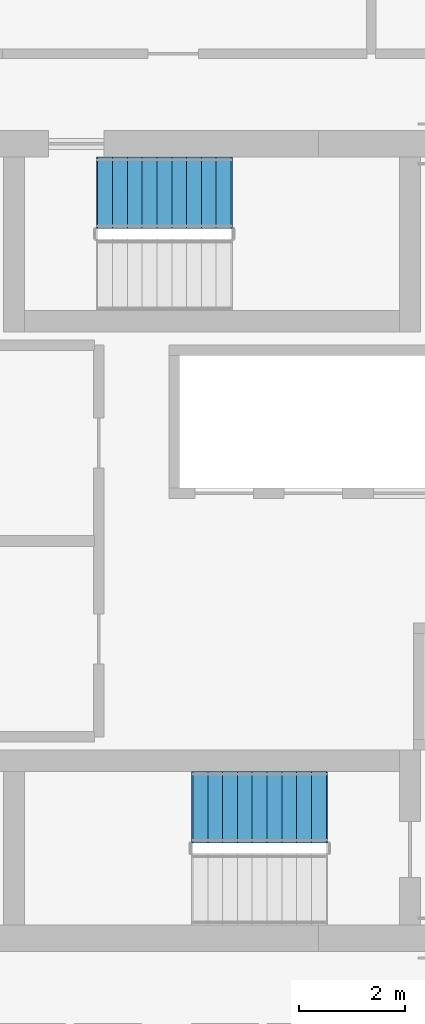
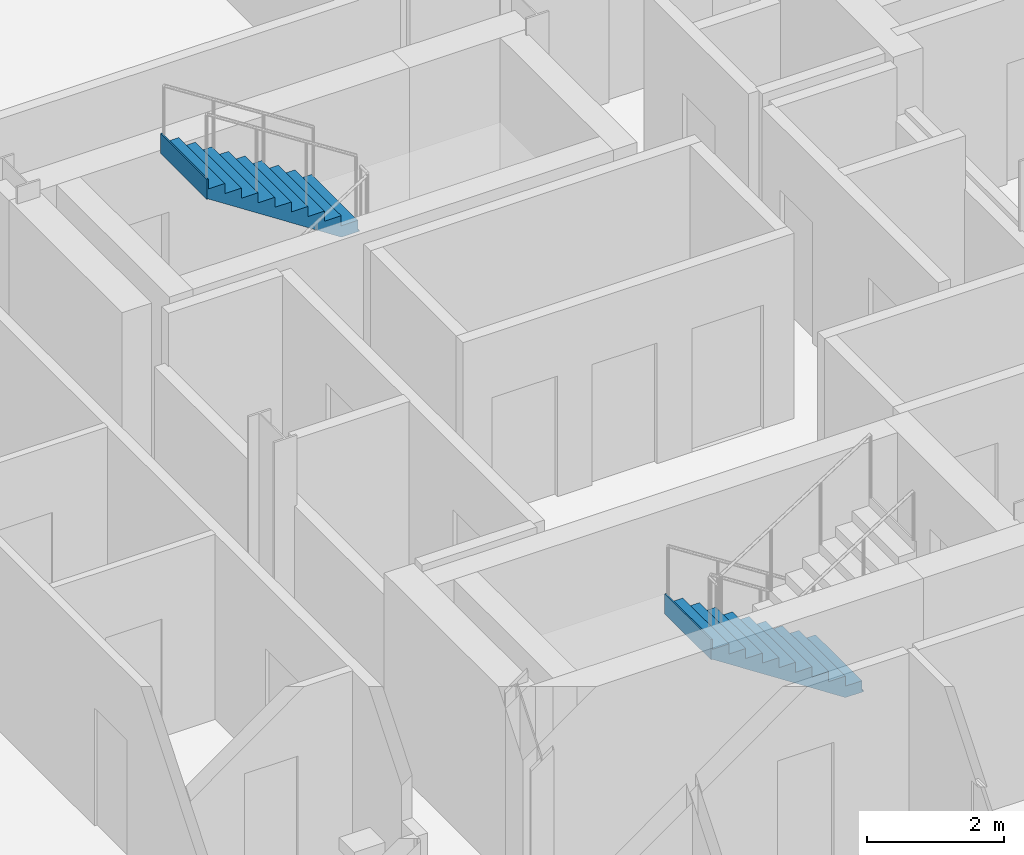
# One storey, part 23 of 25: 2 stair flights, 2 elements without a shape of their own.
"""IFC4 building model written with IfcOpenShell, lengths in metres."""

import ifcopenshell
import ifcopenshell.guid

model = None  # the IFC model being written
_history = None  # IfcOwnerHistory: only IFC2X3 demands one
_inside = {}  # id of a spatial element -> (the spatial element, [elements in it])
_under = {}  # id of a project, library or spatial element -> (it, [spatial elements below it])
_declared = {}  # id of a project -> (the project, [libraries it declares])
_typed = {}  # id of a type object -> (the type object, [elements of that type])
_made_of = {}  # id of a material, layer set ... -> (it, [elements and type objects made of it])


def new_model(schema):
    """Start an empty IFC model of exactly this schema.

    Asked for "IFC4X3", IfcOpenShell would pick the latest addendum, in which some entities
    have other attributes; the version numbers below select the first issue.
    IFC2X3 requires an IfcOwnerHistory on every rooted entity: one is made here for all.
    """
    global model, _history
    if schema == "IFC4X3":
        model = ifcopenshell.file(schema_version=(4, 3, 0, 0))
    else:
        model = ifcopenshell.file(schema=schema)
    _inside.clear()
    _under.clear()
    _declared.clear()
    _typed.clear()
    _made_of.clear()
    _history = None
    if model.schema == "IFC2X3":
        org = make("IfcOrganization", Name="unknown")
        user = make(
            "IfcPersonAndOrganization",
            ThePerson=make("IfcPerson", FamilyName="unknown"),
            TheOrganization=org,
        )
        app = make(
            "IfcApplication",
            ApplicationDeveloper=org,
            Version="unknown",
            ApplicationFullName="unknown",
            ApplicationIdentifier="unknown",
        )
        _history = make(
            "IfcOwnerHistory",
            OwningUser=user,
            OwningApplication=app,
            ChangeAction="ADDED",
            CreationDate=0,
        )
    return model


def make(cls, **values):
    """One entity of the class cls with the attributes given. An attribute that is None is left unset."""
    return model.create_entity(
        cls, **{name: value for name, value in values.items() if value is not None}
    )


def rooted(cls, **values):
    """An entity with a GlobalId (a new one), such as an element, a storey or a relation."""
    return make(cls, GlobalId=ifcopenshell.guid.new(), OwnerHistory=_history, **values)


def si_unit(unit_type, name, prefix=None):
    """IfcSIUnit, for example si_unit("LENGTHUNIT", "METRE", prefix="MILLI")."""
    return make("IfcSIUnit", UnitType=unit_type, Prefix=prefix, Name=name)


def assignment(units):
    """IfcUnitAssignment: the units of a project."""
    return None if units is None else make("IfcUnitAssignment", Units=units)


def point(xyz):
    """IfcCartesianPoint."""
    return None if xyz is None else make("IfcCartesianPoint", Coordinates=xyz)


def direction(xyz):
    """IfcDirection."""
    return None if xyz is None else make("IfcDirection", DirectionRatios=xyz)


def frame(location, z_axis=None, x_axis=None):
    """IfcAxis2Placement3D, a coordinate frame: its origin and axes. An axis left out is left unset."""
    return make(
        "IfcAxis2Placement3D",
        Location=point(location),
        Axis=direction(z_axis),
        RefDirection=direction(x_axis),
    )


def origin():
    """The frame at (0, 0, 0) with its axes left unset."""
    return frame((0.0, 0.0, 0.0))


def place(relative_to, where):
    """IfcLocalPlacement: puts the frame where relative to a parent placement (None: the world)."""
    return make(
        "IfcLocalPlacement", PlacementRelTo=relative_to, RelativePlacement=where
    )


def context(
    kind, dimensions, precision=None, world=None, true_north=None, identifier=None
):
    """IfcGeometricRepresentationContext, for example the 3D "Model" context."""
    return make(
        "IfcGeometricRepresentationContext",
        ContextIdentifier=identifier,
        ContextType=kind,
        CoordinateSpaceDimension=dimensions,
        Precision=precision,
        WorldCoordinateSystem=world,
        TrueNorth=true_north,
    )


def subcontext(parent, identifier, kind, view, scale=None):
    """IfcGeometricRepresentationSubContext, for example "Body" below "Model"."""
    return make(
        "IfcGeometricRepresentationSubContext",
        ContextIdentifier=identifier,
        ContextType=kind,
        ParentContext=parent,
        TargetScale=scale,
        TargetView=view,
    )


def project(units=None, contexts=None):
    """IfcProject with its units and contexts."""
    return rooted(
        "IfcProject",
        Name="project",
        RepresentationContexts=contexts,
        UnitsInContext=assignment(units),
    )


def spatial(cls, under=None, at=None, **own):
    """A site, building, storey or space (cls), placed at a placement, below another one or the project."""
    s = rooted(cls, ObjectPlacement=at, **own)
    if under is not None:
        _under.setdefault(under.id(), (under, []))[1].append(s)
    return s


def polyline(points):
    """IfcPolyline through the points."""
    return make("IfcPolyline", Points=[point(p) for p in points])


def outline(outer, holes=None, kind="AREA"):
    """IfcArbitraryClosedProfileDef: a profile drawn as a closed curve; with holes, ...WithVoids."""
    if holes is None:
        return make("IfcArbitraryClosedProfileDef", ProfileType=kind, OuterCurve=outer)
    return make(
        "IfcArbitraryProfileDefWithVoids",
        ProfileType=kind,
        OuterCurve=outer,
        InnerCurves=holes,
    )


def extrude(swept, where, along, depth):
    """IfcExtrudedAreaSolid: the profile swept, set in the frame where, extruded along a direction by depth."""
    return make(
        "IfcExtrudedAreaSolid",
        SweptArea=swept,
        Position=where,
        ExtrudedDirection=direction(along),
        Depth=depth,
    )


def shape(context_of_items, identifier, shape_type, items):
    """IfcShapeRepresentation: the items that make up one representation, for example the "Body"."""
    return make(
        "IfcShapeRepresentation",
        ContextOfItems=context_of_items,
        RepresentationIdentifier=identifier,
        RepresentationType=shape_type,
        Items=items,
    )


def material(Name=None, Category=None):
    """IfcMaterial."""
    return make("IfcMaterial", Name=Name, Category=Category)


def made_of(thing, what):
    """Note that an element or type object is made of a material, layer set ...; save() writes the relation."""
    if what is not None:
        _made_of.setdefault(what.id(), (what, []))[1].append(thing)
    return thing


def type_object(cls, material=None, **own):
    """A type object (cls), such as IfcWallType, which elements share."""
    return made_of(rooted(cls, **own), material)


def element(
    cls,
    number,
    at=None,
    inside=None,
    cuts=None,
    type_object=None,
    material=None,
    context=None,
    identifier="Body",
    shape_type=None,
    held_by="IfcProductDefinitionShape",
    body=None,
    shapes=None,
    **own,
):
    """One element of the class cls, such as IfcWall. Its Tag is "e" and its number.

    at: its placement. inside: the storey or other place that contains it. cuts: it is an
    opening in that element (IfcRelVoidsElement). A single representation is given by context,
    identifier, shape_type and body (its items); several are given by shapes. held_by: the class
    of the entity that holds the representations. save() writes the other relations.
    """
    e = rooted(cls, Tag="e%d" % number, ObjectPlacement=at, **own)
    if body is not None:
        shapes = [shape(context, identifier, shape_type, body)]
    if shapes is not None:
        e.Representation = make(held_by, Representations=shapes)
    if inside is not None:
        _inside.setdefault(inside.id(), (inside, []))[1].append(e)
    if cuts is not None:
        rooted(
            "IfcRelVoidsElement", RelatingBuildingElement=cuts, RelatedOpeningElement=e
        )
    if type_object is not None:
        _typed.setdefault(type_object.id(), (type_object, []))[1].append(e)
    return made_of(e, material)


def aggregate(whole, parts):
    """IfcRelAggregates: a whole, such as a stair, and the parts it consists of."""
    return rooted("IfcRelAggregates", RelatingObject=whole, RelatedObjects=parts)


def save(model, path):
    """Write the relations noted so far, then the file.

    IfcRelAggregates (storeys below a building ...), IfcRelContainedInSpatialStructure (elements
    in a storey), IfcRelDefinesByType, IfcRelAssociatesMaterial and IfcRelDeclares: one each for
    every whole, place, type object, material and project.
    """
    for whole, parts in _under.values():
        aggregate(whole, parts)
    for where, things in _inside.values():
        rooted(
            "IfcRelContainedInSpatialStructure",
            RelatedElements=things,
            RelatingStructure=where,
        )
    for kind, things in _typed.values():
        rooted("IfcRelDefinesByType", RelatedObjects=things, RelatingType=kind)
    for what, things in _made_of.values():
        rooted("IfcRelAssociatesMaterial", RelatedObjects=things, RelatingMaterial=what)
    for by, libraries in _declared.values():
        rooted("IfcRelDeclares", RelatingContext=by, RelatedDefinitions=libraries)
    model.write(path)


model = new_model("IFC4")

# Units and contexts
model_context = context("Model", 3, precision=1e-05, world=origin(), true_north=direction((0.0, 1.0)))
body_context = subcontext(model_context, "Body", "Model", "MODEL_VIEW")
ifc_project = project(units=[si_unit("LENGTHUNIT", "METRE"), si_unit("AREAUNIT", "SQUARE_METRE"), si_unit("VOLUMEUNIT", "CUBIC_METRE"), si_unit("PLANEANGLEUNIT", "RADIAN"), si_unit("MASSUNIT", "GRAM", prefix="KILO")], contexts=[model_context])

# Site, building, storey
site_placement = place(None, origin())
site = spatial("IfcSite", under=ifc_project, at=site_placement, CompositionType="ELEMENT")
building_placement = place(site_placement, origin())
building = spatial("IfcBuilding", under=site, at=building_placement, Name="Barlavira Tower and Art Museum", CompositionType="ELEMENT")
storey_placement = place(building_placement, frame((0.0, 0.0, 301.5)))
storey = spatial("IfcBuildingStorey", under=building, at=storey_placement, Name="L79", CompositionType="ELEMENT", Elevation=301.5)

# Stair, stair flight
ifc_material_1 = material(Name="Concrete C45", Category="concrete")
stair_type_1 = type_object("IfcStairType", Name="Tower North Dog-Leg Exit Stair Assembly Concrete C45", PredefinedType="TWO_QUARTER_TURN_STAIR", material=ifc_material_1)
stair_1_placement = place(storey_placement, origin())
stair_1 = element("IfcStair", 1, at=stair_1_placement, inside=storey, type_object=stair_type_1, Name="L79 Tower North Exit Stair ST-T2", PredefinedType="TWO_QUARTER_TURN_STAIR")
ifc_material_2 = material(Name="Precast concrete C45", Category="concrete")
stair_flight_type_1 = type_object("IfcStairFlightType", Name="Tower North Dog-Leg Exit Stair Precast Flight 1350 Concrete C45", PredefinedType="STRAIGHT", material=ifc_material_2)
stair_flight_1_placement = place(storey_placement, frame((-1.64990234375, 6.574951171875, 1.800048828125), z_axis=(0.0, 0.0, 1.0), x_axis=(-1.0, 0.0, 0.0)))
stair_flight_1 = element("IfcStairFlight", 2, at=stair_flight_1_placement, type_object=stair_flight_type_1, Name="ST-T2 flight 2", NumberOfRisers=10, NumberOfTreads=9, PredefinedType="STRAIGHT", RiserHeight=0.18, TreadLength=0.28, context=body_context, shape_type="SweptSolid", body=[
    extrude(outline(polyline([(-0.02490234375, 0.0), (0.0, 0.0), (0.0, 0.179931640625), (0.280029296875, 0.179931640625), (0.280029296875, 0.360107421875), (0.56005859375, 0.360107421875), (0.56005859375, 0.5400390625), (0.840087890625, 0.5400390625), (0.840087890625, 0.719970703125), (1.1201171875, 0.719970703125), (1.1201171875, 0.89990234375), (1.39990234375, 0.89990234375), (1.39990234375, 1.080078125), (1.679931640625, 1.080078125), (1.679931640625, 1.260009765625), (1.9599609375, 1.260009765625), (1.9599609375, 1.43994140625), (2.239990234375, 1.43994140625), (2.239990234375, 1.6201171875), (2.52001953125, 1.6201171875), (2.52001953125, 1.800048828125), (2.544921875, 1.800048828125), (2.544921875, 1.44189453125), (2.52001953125, 1.44189453125), (0.277099609375, -0.02490234375), (-0.02490234375, -0.02490234375), (-0.02490234375, 0.0)])), frame((0.0, 0.675048828125, 0.0), z_axis=(0.0, -1.0, 0.0), x_axis=(1.0, 0.0, 0.0)), (0.0, 0.0, 1.0), 1.35009765625),
])
aggregate(stair_1, [stair_flight_1])

stair_type_2 = type_object("IfcStairType", Name="Tower South Dog-Leg Exit Stair Assembly Concrete C45", PredefinedType="TWO_QUARTER_TURN_STAIR", material=ifc_material_1)
stair_2_placement = place(storey_placement, origin())
stair_2 = element("IfcStair", 3, at=stair_2_placement, inside=storey, type_object=stair_type_2, Name="L79 Tower South Exit Stair ST-T1", PredefinedType="TWO_QUARTER_TURN_STAIR")
stair_flight_type_2 = type_object("IfcStairFlightType", Name="Tower South Dog-Leg Exit Stair Precast Flight 1350 Concrete C45", PredefinedType="STRAIGHT", material=ifc_material_2)
stair_flight_2_placement = place(storey_placement, frame((0.14990234375, -5.02490234375, 0.0), z_axis=(0.0, 0.0, 1.0), x_axis=(-1.0, 0.0, 0.0)))
stair_flight_2 = element("IfcStairFlight", 4, at=stair_flight_2_placement, type_object=stair_flight_type_2, Name="ST-T1 flight 1", NumberOfRisers=10, NumberOfTreads=9, PredefinedType="STRAIGHT", RiserHeight=0.18, TreadLength=0.28, context=body_context, shape_type="SweptSolid", body=[
    extrude(outline(polyline([(-0.02490234375, 0.0), (0.0, 0.0), (0.0, 0.179931640625), (0.280029296875, 0.179931640625), (0.280029296875, 0.360107421875), (0.56005859375, 0.360107421875), (0.56005859375, 0.5400390625), (0.840087890625, 0.5400390625), (0.840087890625, 0.719970703125), (1.1201171875, 0.719970703125), (1.1201171875, 0.89990234375), (1.39990234375, 0.89990234375), (1.39990234375, 1.080078125), (1.679931640625, 1.080078125), (1.679931640625, 1.260009765625), (1.9599609375, 1.260009765625), (1.9599609375, 1.43994140625), (2.239990234375, 1.43994140625), (2.239990234375, 1.6201171875), (2.52001953125, 1.6201171875), (2.52001953125, 1.800048828125), (2.544921875, 1.800048828125), (2.544921875, 1.44189453125), (2.52001953125, 1.44189453125), (0.277099609375, -0.02490234375), (-0.02490234375, -0.02490234375), (-0.02490234375, 0.0)])), frame((0.0, 0.675048828125, 0.0), z_axis=(0.0, -1.0, 0.0), x_axis=(1.0, 0.0, 0.0)), (0.0, 0.0, 1.0), 1.35009765625),
])
aggregate(stair_2, [stair_flight_2])

save(model, "model.ifc")
